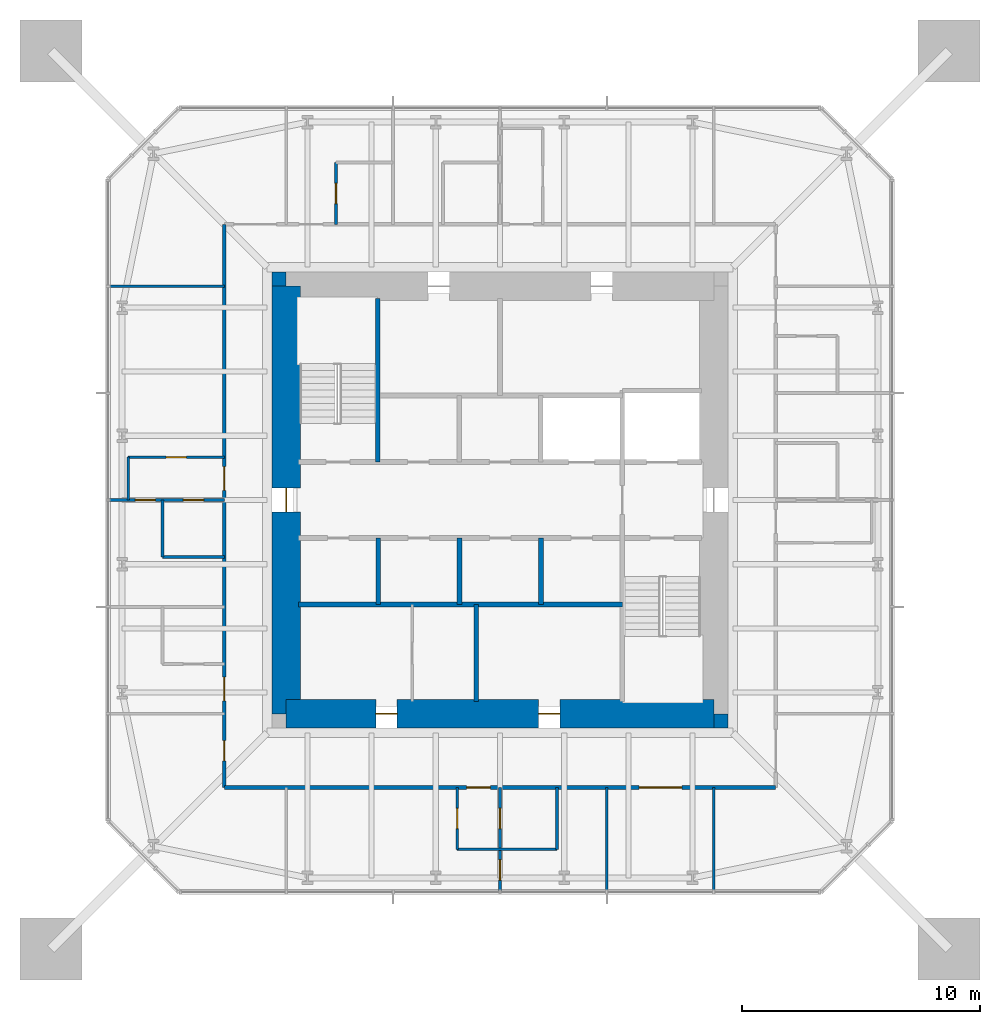
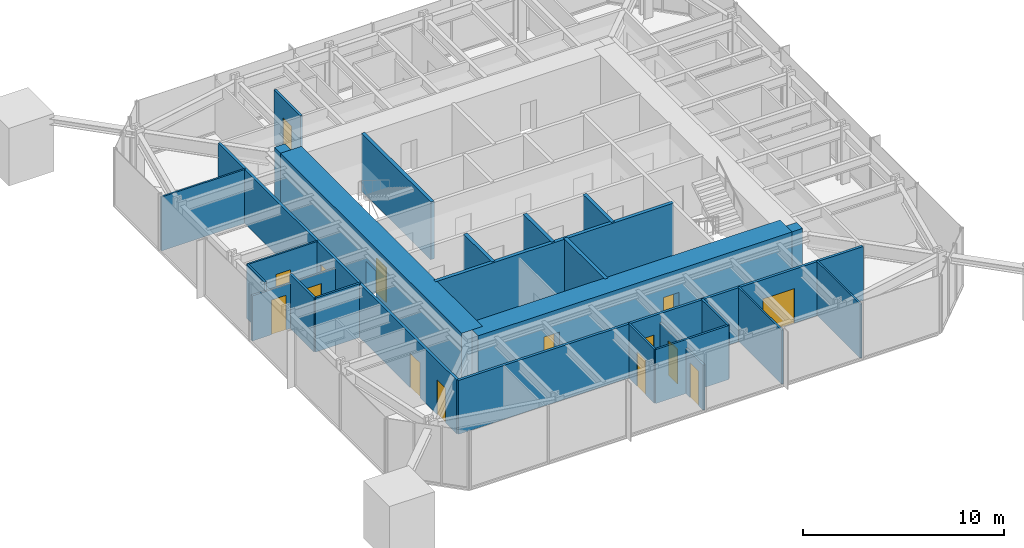
# One storey, part 6 of 9: 25 walls, 15 doors, 15 openings.
"""IFC4 building model written with IfcOpenShell, lengths in metres."""

from ifc_helpers import new_model, si_unit, direction, frame, frame_2d, origin, place, context, subcontext, project, spatial, rectangle, extrude, material, layer, layer_set, type_object, element, fill, save


model = new_model("IFC4")

# Units and contexts
model_context = context("Model", 3, precision=1e-05, world=origin(), true_north=direction((0.0, 1.0)))
body_context = subcontext(model_context, "Body", "Model", "MODEL_VIEW")
ifc_project = project(units=[si_unit("LENGTHUNIT", "METRE"), si_unit("AREAUNIT", "SQUARE_METRE"), si_unit("VOLUMEUNIT", "CUBIC_METRE"), si_unit("PLANEANGLEUNIT", "RADIAN"), si_unit("MASSUNIT", "GRAM", prefix="KILO")], contexts=[model_context])

# Site, building, storey
site_placement = place(None, origin())
site = spatial("IfcSite", under=ifc_project, at=site_placement, CompositionType="ELEMENT")
building_placement = place(site_placement, origin())
building = spatial("IfcBuilding", under=site, at=building_placement, Name="Iwan Alto Co-Living Towers", CompositionType="ELEMENT")
storey_placement = place(building_placement, frame((0.0, 0.0, 236.0)))
storey = spatial("IfcBuildingStorey", under=building, at=storey_placement, Name="L64", CompositionType="ELEMENT", Elevation=236.0)

# Wall, openings, doors
ifc_material_1 = material(Name="Gypsum board")
ifc_layer_1 = layer(ifc_material_1, 0.02490234375, Name="Board", Category="Finish")
ifc_material_2 = material(Name="Steel ASTM A1003 ST33H cold-formed studs", Category="steel")
ifc_layer_2 = layer(ifc_material_2, 0.10009765625, Name="Studs", Category="Framing")
ifc_layer_3 = layer(ifc_material_1, 0.02490234375, Name="Board", Category="Finish")
ifc_layer_set_1 = layer_set([ifc_layer_1, ifc_layer_2, ifc_layer_3], Name="CORRIDOR WALL 150")
wall_type_1 = type_object("IfcWallType", Name="CORRIDOR WALL 150", PredefinedType="PARTITIONING", material=ifc_layer_set_1)
wall_1_placement = place(storey_placement, frame((-11.60009765625, -12.10009765625, 0.0), z_axis=(0.0, 0.0, 1.0), x_axis=(1.0, 0.0, 0.0)))
wall_1 = element("IfcWall", 1, at=wall_1_placement, inside=storey, type_object=wall_type_1, Name="Partition L64", PredefinedType="PARTITIONING", context=body_context, shape_type="SweptSolid", body=[
    extrude(rectangle(XDim=23.2001953125, YDim=0.14990234375, at=frame_2d((11.60009765625, 0.0))), origin(), (0.0, 0.0, 1.0), 3.27001953125),
])
opening_1_placement = place(wall_1_placement, frame((10.199951171875, 0.0, 0.0)))
opening_1 = element("IfcOpeningElement", 2, at=opening_1_placement, cuts=wall_1, Name="Opening D3", PredefinedType="OPENING", context=body_context, shape_type="SweptSolid", body=[
    extrude(rectangle(XDim=1.0, YDim=2.10009765625, at=frame_2d((0.5, 1.050048828125))), frame((0.0, 0.0849609375, 0.0), z_axis=(0.0, -1.0, 0.0), x_axis=(1.0, 0.0, 0.0)), (0.0, 0.0, 1.0), 0.169921875),
])
opening_2_placement = place(wall_1_placement, frame((17.449951171875, 0.0, 0.0)))
opening_2 = element("IfcOpeningElement", 3, at=opening_2_placement, cuts=wall_1, Name="Opening D9", PredefinedType="OPENING", context=body_context, shape_type="SweptSolid", body=[
    extrude(rectangle(XDim=1.800048828125, YDim=2.10009765625, at=frame_2d((0.89990234375, 1.050048828125))), frame((0.0, 0.0849609375, 0.0), z_axis=(0.0, -1.0, 0.0), x_axis=(1.0, 0.0, 0.0)), (0.0, 0.0, 1.0), 0.169921875),
])
ifc_material_3 = material(Name="Steel frame with timber leaf", Category="steel")
door_type_1 = type_object("IfcDoorType", Name="FLAT ENTRANCE DOOR FD30S 1000X2100", OperationType="SINGLE_SWING_LEFT", PredefinedType="DOOR", material=ifc_material_3)
door_1_placement = place(opening_1_placement, frame((1.0, 0.0, 0.0), z_axis=(0.0, 0.0, 1.0), x_axis=(-1.0, 0.0, 0.0)))
door_1 = element("IfcDoor", 4, at=door_1_placement, inside=storey, type_object=door_type_1, Name="Apartment foyer door L64", OperationType="SINGLE_SWING_RIGHT", OverallHeight=2.10009765625, OverallWidth=1.0, PredefinedType="DOOR", context=body_context, shape_type="SweptSolid", body=[
    extrude(rectangle(XDim=1.0, YDim=2.10009765625, at=frame_2d((0.5, 1.050048828125))), frame((0.0, 0.02490234375, 0.0), z_axis=(0.0, -1.0, 0.0), x_axis=(1.0, 0.0, 0.0)), (0.0, 0.0, 1.0), 0.050048828125),
])
fill(opening_1, door_1)
ifc_material_4 = material(Name="Steel frame with timber leaf", Category="steel")
door_type_2 = type_object("IfcDoorType", Name="LOUNGE DOOR FD30S 1800X2100", OperationType="DOUBLE_DOOR_SINGLE_SWING", PredefinedType="DOOR", material=ifc_material_4)
door_2_placement = place(opening_2_placement, frame((1.800048828125, 0.0, 0.0), z_axis=(0.0, 0.0, 1.0), x_axis=(-1.0, 0.0, 0.0)))
door_2 = element("IfcDoor", 5, at=door_2_placement, inside=storey, type_object=door_type_2, Name="Seminar room door L64", OperationType="DOUBLE_DOOR_SINGLE_SWING", OverallHeight=2.10009765625, OverallWidth=1.800048828125, PredefinedType="DOOR", context=body_context, shape_type="SweptSolid", body=[
    extrude(rectangle(XDim=1.800048828125, YDim=2.10009765625, at=frame_2d((0.89990234375, 1.050048828125))), frame((0.0, 0.02490234375, 0.0), z_axis=(0.0, -1.0, 0.0), x_axis=(1.0, 0.0, 0.0)), (0.0, 0.0, 1.0), 0.050048828125),
])
fill(opening_2, door_2)

wall_2_placement = place(storey_placement, frame((-11.60009765625, -12.10009765625, 0.0), z_axis=(0.0, 0.0, 1.0), x_axis=(0.0, 1.0, 0.0)))
wall_2 = element("IfcWall", 6, at=wall_2_placement, inside=storey, type_object=wall_type_1, Name="Partition L64", PredefinedType="PARTITIONING", context=body_context, shape_type="SweptSolid", body=[
    extrude(rectangle(XDim=23.7001953125, YDim=0.14990234375, at=frame_2d((11.85009765625, 0.0))), origin(), (0.0, 0.0, 1.0), 3.27001953125),
])
opening_3_placement = place(wall_2_placement, frame((12.5, 0.0, 0.0)))
opening_3 = element("IfcOpeningElement", 7, at=opening_3_placement, cuts=wall_2, Name="Opening D3", PredefinedType="OPENING", context=body_context, shape_type="SweptSolid", body=[
    extrude(rectangle(XDim=1.0, YDim=2.10009765625, at=frame_2d((0.5, 1.050048828125))), frame((0.0, 0.0849609375, 0.0), z_axis=(0.0, -1.0, 0.0), x_axis=(1.0, 0.0, 0.0)), (0.0, 0.0, 1.0), 0.169921875),
])
opening_4_placement = place(wall_2_placement, frame((3.64990234375, 0.0, 0.0)))
opening_4 = element("IfcOpeningElement", 8, at=opening_4_placement, cuts=wall_2, Name="Opening D3", PredefinedType="OPENING", context=body_context, shape_type="SweptSolid", body=[
    extrude(rectangle(XDim=1.0, YDim=2.10009765625, at=frame_2d((0.5, 1.050048828125))), frame((0.0, 0.0849609375, 0.0), z_axis=(0.0, -1.0, 0.0), x_axis=(1.0, 0.0, 0.0)), (0.0, 0.0, 1.0), 0.169921875),
])
opening_5_placement = place(wall_2_placement, frame((1.125, 0.0, 0.0)))
opening_5 = element("IfcOpeningElement", 9, at=opening_5_placement, cuts=wall_2, Name="Opening D2", PredefinedType="OPENING", context=body_context, shape_type="SweptSolid", body=[
    extrude(rectangle(XDim=0.85009765625, YDim=2.10009765625, at=frame_2d((0.425048828125, 1.050048828125))), frame((0.0, 0.0849609375, 0.0), z_axis=(0.0, -1.0, 0.0), x_axis=(1.0, 0.0, 0.0)), (0.0, 0.0, 1.0), 0.169921875),
])
door_3_placement = place(opening_3_placement, origin())
door_3 = element("IfcDoor", 10, at=door_3_placement, inside=storey, type_object=door_type_1, Name="Apartment foyer door L64", OperationType="SINGLE_SWING_LEFT", OverallHeight=2.10009765625, OverallWidth=1.0, PredefinedType="DOOR", context=body_context, shape_type="SweptSolid", body=[
    extrude(rectangle(XDim=1.0, YDim=2.10009765625, at=frame_2d((0.5, 1.050048828125))), frame((0.0, 0.02490234375, 0.0), z_axis=(0.0, -1.0, 0.0), x_axis=(1.0, 0.0, 0.0)), (0.0, 0.0, 1.0), 0.050048828125),
])
fill(opening_3, door_3)
door_4_placement = place(opening_4_placement, origin())
door_4 = element("IfcDoor", 11, at=door_4_placement, inside=storey, type_object=door_type_1, Name="Studio door L64", OperationType="SINGLE_SWING_LEFT", OverallHeight=2.10009765625, OverallWidth=1.0, PredefinedType="DOOR", context=body_context, shape_type="SweptSolid", body=[
    extrude(rectangle(XDim=1.0, YDim=2.10009765625, at=frame_2d((0.5, 1.050048828125))), frame((0.0, 0.02490234375, 0.0), z_axis=(0.0, -1.0, 0.0), x_axis=(1.0, 0.0, 0.0)), (0.0, 0.0, 1.0), 0.050048828125),
])
fill(opening_4, door_4)
ifc_material_5 = material(Name="Timber leaf in steel frame", Category="steel")
door_type_3 = type_object("IfcDoorType", Name="ROOM DOOR 850X2100", OperationType="SINGLE_SWING_LEFT", PredefinedType="DOOR", material=ifc_material_5)
door_5_placement = place(opening_5_placement, origin())
door_5 = element("IfcDoor", 12, at=door_5_placement, inside=storey, type_object=door_type_3, Name="Shared kitchen and lounge door L64", OperationType="SINGLE_SWING_RIGHT", OverallHeight=2.10009765625, OverallWidth=0.85009765625, PredefinedType="DOOR", context=body_context, shape_type="SweptSolid", body=[
    extrude(rectangle(XDim=0.85009765625, YDim=2.10009765625, at=frame_2d((0.425048828125, 1.050048828125))), frame((0.0, 0.02490234375, 0.0), z_axis=(0.0, -1.0, 0.0), x_axis=(1.0, 0.0, 0.0)), (0.0, 0.0, 1.0), 0.050048828125),
])
fill(opening_5, door_5)

# Wall, opening, door
ifc_layer_4 = layer(ifc_material_1, 0.012451171875, Name="Board", Category="Finish")
ifc_layer_5 = layer(ifc_material_2, 0.074951171875, Name="Studs", Category="Framing")
ifc_layer_6 = layer(ifc_material_1, 0.012451171875, Name="Board", Category="Finish")
ifc_layer_set_2 = layer_set([ifc_layer_4, ifc_layer_5, ifc_layer_6], Name="PARTITION 100")
wall_type_2 = type_object("IfcWallType", Name="PARTITION 100", PredefinedType="PARTITIONING", material=ifc_layer_set_2)
wall_3_placement = place(storey_placement, frame((-15.64990234375, 1.800048828125, 0.0), z_axis=(0.0, 0.0, 1.0), x_axis=(1.0, 0.0, 0.0)))
wall_3 = element("IfcWall", 13, at=wall_3_placement, inside=storey, type_object=wall_type_2, Name="Partition L64", PredefinedType="PARTITIONING", context=body_context, shape_type="SweptSolid", body=[
    extrude(rectangle(XDim=4.0498046875, YDim=0.10009765625, at=frame_2d((2.02490234375, 0.0))), origin(), (0.0, 0.0, 1.0), 3.27001953125),
])
opening_6_placement = place(wall_3_placement, frame((1.60009765625, 0.0, 0.0)))
opening_6 = element("IfcOpeningElement", 14, at=opening_6_placement, cuts=wall_3, Name="Opening D2", PredefinedType="OPENING", context=body_context, shape_type="SweptSolid", body=[
    extrude(rectangle(XDim=0.85009765625, YDim=2.10009765625, at=frame_2d((0.425048828125, 1.050048828125))), frame((0.0, 0.06005859375, 0.0), z_axis=(0.0, -1.0, 0.0), x_axis=(1.0, 0.0, 0.0)), (0.0, 0.0, 1.0), 0.1201171875),
])
door_6_placement = place(opening_6_placement, origin())
door_6 = element("IfcDoor", 15, at=door_6_placement, inside=storey, type_object=door_type_3, Name="Apartment foyer door L64", OperationType="SINGLE_SWING_RIGHT", OverallHeight=2.10009765625, OverallWidth=0.85009765625, PredefinedType="DOOR", context=body_context, shape_type="SweptSolid", body=[
    extrude(rectangle(XDim=0.85009765625, YDim=2.10009765625, at=frame_2d((0.425048828125, 1.050048828125))), frame((0.0, 0.02490234375, 0.0), z_axis=(0.0, -1.0, 0.0), x_axis=(1.0, 0.0, 0.0)), (0.0, 0.0, 1.0), 0.050048828125),
])
fill(opening_6, door_6)

# Walls
wall_4_placement = place(storey_placement, frame((-16.43994140625, 9.0, 0.0), z_axis=(0.0, 0.0, 1.0), x_axis=(1.0, 0.0, 0.0)))
element("IfcWall", 16, at=wall_4_placement, inside=storey, type_object=wall_type_2, Name="Partition L64", PredefinedType="PARTITIONING", context=body_context, shape_type="SweptSolid", body=[
    extrude(rectangle(XDim=4.83984375, YDim=0.10009765625, at=frame_2d((2.419921875, 0.0))), origin(), (0.0, 0.0, 1.0), 3.27001953125),
])
for number, where, z_axis, x_axis, name in (
    (17, (9.0, -16.43994140625, 0.0), (0.0, 0.0, 1.0), (0.0, 1.0, 0.0), "Partition L64"),
    (18, (4.5, -16.43994140625, 0.0), (0.0, 0.0, 1.0), (0.0, 1.0, 0.0), "Partition L64"),
):
    element("IfcWall", number, at=place(storey_placement, frame(where, z_axis=z_axis, x_axis=x_axis)), inside=storey, type_object=wall_type_2, Name=name, PredefinedType="PARTITIONING", context=body_context, shape_type="SweptSolid", body=[
        extrude(rectangle(XDim=4.33984375, YDim=0.10009765625, at=frame_2d((2.169921875, 0.0))), origin(), (0.0, 0.0, 1.0), 3.27001953125),
    ])

# Wall, opening, door
wall_5_placement = place(storey_placement, frame((-1.800048828125, -14.699951171875, 0.0), z_axis=(0.0, 0.0, 1.0), x_axis=(0.0, 1.0, 0.0)))
wall_5 = element("IfcWall", 19, at=wall_5_placement, inside=storey, type_object=wall_type_2, Name="Partition L64", PredefinedType="PARTITIONING", context=body_context, shape_type="SweptSolid", body=[
    extrude(rectangle(XDim=2.599853515625, YDim=0.10009765625, at=frame_2d((1.2998046875, 0.0))), origin(), (0.0, 0.0, 1.0), 3.27001953125),
])
opening_7_placement = place(wall_5_placement, frame((0.875, 0.0, 0.0)))
opening_7 = element("IfcOpeningElement", 20, at=opening_7_placement, cuts=wall_5, Name="Opening D2", PredefinedType="OPENING", context=body_context, shape_type="SweptSolid", body=[
    extrude(rectangle(XDim=0.85009765625, YDim=2.10009765625, at=frame_2d((0.425048828125, 1.050048828125))), frame((0.0, 0.06005859375, 0.0), z_axis=(0.0, -1.0, 0.0), x_axis=(1.0, 0.0, 0.0)), (0.0, 0.0, 1.0), 0.1201171875),
])
door_7_placement = place(opening_7_placement, origin())
door_7 = element("IfcDoor", 21, at=door_7_placement, inside=storey, type_object=door_type_3, Name="Apartment foyer door L64", OperationType="SINGLE_SWING_RIGHT", OverallHeight=2.10009765625, OverallWidth=0.85009765625, PredefinedType="DOOR", context=body_context, shape_type="SweptSolid", body=[
    extrude(rectangle(XDim=0.85009765625, YDim=2.10009765625, at=frame_2d((0.425048828125, 1.050048828125))), frame((0.0, 0.02490234375, 0.0), z_axis=(0.0, -1.0, 0.0), x_axis=(1.0, 0.0, 0.0)), (0.0, 0.0, 1.0), 0.050048828125),
])
fill(opening_7, door_7)

# Walls
wall_6_placement = place(storey_placement, frame((-15.64990234375, 0.0, 0.0), z_axis=(0.0, 0.0, 1.0), x_axis=(0.0, 1.0, 0.0)))
element("IfcWall", 22, at=wall_6_placement, inside=storey, type_object=wall_type_2, Name="Partition L64", PredefinedType="PARTITIONING", context=body_context, shape_type="SweptSolid", body=[
    extrude(rectangle(XDim=1.800048828125, YDim=0.10009765625, at=frame_2d((0.89990234375, 0.0))), origin(), (0.0, 0.0, 1.0), 3.27001953125),
])
ifc_material_6 = material(Name="Concrete f'c 70 MPa", Category="concrete")
ifc_layer_7 = layer(ifc_material_6, 0.199951171875)
ifc_layer_set_3 = layer_set([ifc_layer_7], Name="SHAFT WALL 200")
wall_type_3 = type_object("IfcWallType", Name="SHAFT WALL 200", PredefinedType="SOLIDWALL", material=ifc_layer_set_3)
wall_7_placement = place(storey_placement, frame((-8.489990234375, -4.39990234375, 0.0), z_axis=(0.0, 0.0, 1.0), x_axis=(1.0, 0.0, 0.0)))
element("IfcWall", 23, at=wall_7_placement, inside=storey, type_object=wall_type_3, Name="Shaft wall L64", PredefinedType="SOLIDWALL", context=body_context, shape_type="SweptSolid", body=[
    extrude(rectangle(XDim=13.639892578125, YDim=0.199951171875, at=frame_2d((6.81982421875, 0.0))), origin(), (0.0, 0.0, 1.0), 3.5),
])
wall_8_placement = place(storey_placement, frame((1.72509765625, -4.39990234375, 0.0), z_axis=(0.0, 0.0, 1.0), x_axis=(0.0, 1.0, 0.0)))
element("IfcWall", 24, at=wall_8_placement, inside=storey, type_object=wall_type_3, Name="Shaft wall L64", PredefinedType="SOLIDWALL", context=body_context, shape_type="SweptSolid", body=[
    extrude(rectangle(XDim=2.7998046875, YDim=0.199951171875, at=frame_2d((1.39990234375, 0.0))), origin(), (0.0, 0.0, 1.0), 3.5),
])
wall_9_placement = place(storey_placement, frame((-1.0, -8.489990234375, 0.0), z_axis=(0.0, 0.0, 1.0), x_axis=(0.0, 1.0, 0.0)))
element("IfcWall", 25, at=wall_9_placement, inside=storey, type_object=wall_type_3, Name="Shaft wall L64", PredefinedType="SOLIDWALL", context=body_context, shape_type="SweptSolid", body=[
    extrude(rectangle(XDim=4.090087890625, YDim=0.199951171875, at=frame_2d((2.044921875, 0.0))), origin(), (0.0, 0.0, 1.0), 3.5),
])
for number, where, z_axis, x_axis, name in (
    (26, (-1.699951171875, -4.39990234375, 0.0), (0.0, 0.0, 1.0), (0.0, 1.0, 0.0), "Shaft wall L64"),
    (27, (-5.125, -4.39990234375, 0.0), (0.0, 0.0, 1.0), (0.0, 1.0, 0.0), "Shaft wall L64"),
):
    element("IfcWall", number, at=place(storey_placement, frame(where, z_axis=z_axis, x_axis=x_axis)), inside=storey, type_object=wall_type_3, Name=name, PredefinedType="SOLIDWALL", context=body_context, shape_type="SweptSolid", body=[
        extrude(rectangle(XDim=2.7998046875, YDim=0.199951171875, at=frame_2d((1.39990234375, 0.0))), origin(), (0.0, 0.0, 1.0), 3.5),
    ])
wall_10_placement = place(storey_placement, frame((-5.14990234375, 1.60009765625, 0.0), z_axis=(0.0, 0.0, 1.0), x_axis=(0.0, 1.0, 0.0)))
element("IfcWall", 28, at=wall_10_placement, inside=storey, type_object=wall_type_3, Name="Shaft wall L64", PredefinedType="SOLIDWALL", context=body_context, shape_type="SweptSolid", body=[
    extrude(rectangle(XDim=6.889892578125, YDim=0.199951171875, at=frame_2d((3.44482421875, 0.0))), origin(), (0.0, 0.0, 1.0), 3.5),
])
ifc_material_7 = material(Name="Concrete f'c 70 MPa", Category="concrete")
ifc_layer_8 = layer(ifc_material_7, 0.60009765625)
ifc_layer_set_4 = layer_set([ifc_layer_8], Name="T1 CORE CORNER FILL 600")
wall_type_4 = type_object("IfcWallType", Name="T1 CORE CORNER FILL 600", PredefinedType="SOLIDWALL", material=ifc_layer_set_4)
for number, where, z_axis, x_axis, name in (
    (29, (9.0, -9.300048828125, 0.0), (0.0, 0.0, 1.0), (1.0, 0.0, 0.0), "T1 core corner SE L64"),
    (30, (-9.60009765625, 9.300048828125, 0.0), (0.0, 0.0, 1.0), (1.0, 0.0, 0.0), "T1 core corner NW L64"),
):
    element("IfcWall", number, at=place(storey_placement, frame(where, z_axis=z_axis, x_axis=x_axis)), inside=storey, type_object=wall_type_4, Name=name, PredefinedType="SOLIDWALL", context=body_context, shape_type="SweptSolid", body=[
        extrude(rectangle(XDim=0.60009765625, YDim=0.60009765625, at=frame_2d((0.300048828125, 0.0))), origin(), (0.0, 0.0, 1.0), 3.5),
    ])

# Wall, openings, doors
ifc_material_8 = material(Name="Concrete f'c 70 MPa", Category="concrete")
ifc_layer_9 = layer(ifc_material_8, 1.199951171875)
ifc_layer_set_5 = layer_set([ifc_layer_9], Name="T1 CORE WALL 1200")
wall_type_5 = type_object("IfcWallType", Name="T1 CORE WALL 1200", PredefinedType="SHEAR", material=ifc_layer_set_5)
wall_11_placement = place(storey_placement, frame((-9.0, -9.0, 0.0), z_axis=(0.0, 0.0, 1.0), x_axis=(1.0, 0.0, 0.0)))
wall_11 = element("IfcWall", 31, at=wall_11_placement, inside=storey, type_object=wall_type_5, Name="T1 core wall S L64", PredefinedType="SHEAR", context=body_context, shape_type="SweptSolid", body=[
    extrude(rectangle(XDim=18.0, YDim=1.199951171875, at=frame_2d((9.0, 0.0))), origin(), (0.0, 0.0, 1.0), 3.5),
])
opening_8_placement = place(wall_11_placement, frame((3.77490234375, 0.0, 0.0)))
opening_8 = element("IfcOpeningElement", 32, at=opening_8_placement, cuts=wall_11, Name="Opening D8", PredefinedType="OPENING", context=body_context, shape_type="SweptSolid", body=[
    extrude(rectangle(XDim=0.89990234375, YDim=2.10009765625, at=frame_2d((0.449951171875, 1.050048828125))), frame((0.0, 0.60986328125, 0.0), z_axis=(0.0, -1.0, 0.0), x_axis=(1.0, 0.0, 0.0)), (0.0, 0.0, 1.0), 1.219970703125),
])
opening_9_placement = place(wall_11_placement, frame((10.625, 0.0, 0.0)))
opening_9 = element("IfcOpeningElement", 33, at=opening_9_placement, cuts=wall_11, Name="Opening D8", PredefinedType="OPENING", context=body_context, shape_type="SweptSolid", body=[
    extrude(rectangle(XDim=0.89990234375, YDim=2.10009765625, at=frame_2d((0.449951171875, 1.050048828125))), frame((0.0, 0.60986328125, 0.0), z_axis=(0.0, -1.0, 0.0), x_axis=(1.0, 0.0, 0.0)), (0.0, 0.0, 1.0), 1.219970703125),
])
ifc_material_9 = material(Name="Steel frame with timber leaf", Category="steel")
door_type_4 = type_object("IfcDoorType", Name="RISER DOOR FD120 900X2100", OperationType="SINGLE_SWING_LEFT", PredefinedType="DOOR", material=ifc_material_9)
door_8_placement = place(opening_8_placement, origin())
door_8 = element("IfcDoor", 34, at=door_8_placement, inside=storey, type_object=door_type_4, Name="Refuse room core door L64", OperationType="SINGLE_SWING_RIGHT", OverallHeight=2.10009765625, OverallWidth=0.89990234375, PredefinedType="DOOR", context=body_context, shape_type="SweptSolid", body=[
    extrude(rectangle(XDim=0.89990234375, YDim=2.10009765625, at=frame_2d((0.449951171875, 1.050048828125))), frame((0.0, 0.02490234375, 0.0), z_axis=(0.0, -1.0, 0.0), x_axis=(1.0, 0.0, 0.0)), (0.0, 0.0, 1.0), 0.050048828125),
])
fill(opening_8, door_8)
door_9_placement = place(opening_9_placement, origin())
door_9 = element("IfcDoor", 35, at=door_9_placement, inside=storey, type_object=door_type_4, Name="Telecom riser core door L64", OperationType="SINGLE_SWING_LEFT", OverallHeight=2.10009765625, OverallWidth=0.89990234375, PredefinedType="DOOR", context=body_context, shape_type="SweptSolid", body=[
    extrude(rectangle(XDim=0.89990234375, YDim=2.10009765625, at=frame_2d((0.449951171875, 1.050048828125))), frame((0.0, 0.02490234375, 0.0), z_axis=(0.0, -1.0, 0.0), x_axis=(1.0, 0.0, 0.0)), (0.0, 0.0, 1.0), 0.050048828125),
])
fill(opening_9, door_9)

# Wall, opening, door
wall_12_placement = place(storey_placement, frame((-9.0, 9.0, 0.0), z_axis=(0.0, 0.0, 1.0), x_axis=(0.0, -1.0, 0.0)))
wall_12 = element("IfcWall", 36, at=wall_12_placement, inside=storey, type_object=wall_type_5, Name="T1 core wall W L64", PredefinedType="SHEAR", context=body_context, shape_type="SweptSolid", body=[
    extrude(rectangle(XDim=18.0, YDim=1.199951171875, at=frame_2d((9.0, 0.0))), origin(), (0.0, 0.0, 1.0), 3.5),
])
opening_10_placement = place(wall_12_placement, frame((8.5, 0.0, 0.0)))
opening_10 = element("IfcOpeningElement", 37, at=opening_10_placement, cuts=wall_12, Name="Opening D7", PredefinedType="OPENING", context=body_context, shape_type="SweptSolid", body=[
    extrude(rectangle(XDim=1.0, YDim=2.10009765625, at=frame_2d((0.5, 1.050048828125))), frame((0.0, 0.60986328125, 0.0), z_axis=(0.0, -1.0, 0.0), x_axis=(1.0, 0.0, 0.0)), (0.0, 0.0, 1.0), 1.219970703125),
])
ifc_material_10 = material(Name="Steel frame with timber leaf", Category="steel")
door_type_5 = type_object("IfcDoorType", Name="CORE DOOR FD120S 1000X2100", OperationType="SINGLE_SWING_LEFT", PredefinedType="DOOR", material=ifc_material_10)
door_10_placement = place(opening_10_placement, origin())
door_10 = element("IfcDoor", 38, at=door_10_placement, inside=storey, type_object=door_type_5, Name="Lift lobby core door L64", OperationType="SINGLE_SWING_RIGHT", OverallHeight=2.10009765625, OverallWidth=1.0, PredefinedType="DOOR", context=body_context, shape_type="SweptSolid", body=[
    extrude(rectangle(XDim=1.0, YDim=2.10009765625, at=frame_2d((0.5, 1.050048828125))), frame((0.0, 0.02490234375, 0.0), z_axis=(0.0, -1.0, 0.0), x_axis=(1.0, 0.0, 0.0)), (0.0, 0.0, 1.0), 0.050048828125),
])
fill(opening_10, door_10)

# Walls
ifc_material_11 = material(Name="Cement board")
ifc_layer_10 = layer(ifc_material_11, 0.012451171875, Name="Board", Category="Finish")
ifc_layer_11 = layer(ifc_material_2, 0.094970703125, Name="Studs", Category="Framing")
ifc_layer_12 = layer(ifc_material_11, 0.012451171875, Name="Board", Category="Finish")
ifc_layer_set_6 = layer_set([ifc_layer_10, ifc_layer_11, ifc_layer_12], Name="WET AREA PARTITION 120")
wall_type_6 = type_object("IfcWallType", Name="WET AREA PARTITION 120", PredefinedType="PARTITIONING", material=ifc_layer_set_6)
wall_13_placement = place(storey_placement, frame((-1.800048828125, -14.699951171875, 0.0), z_axis=(0.0, 0.0, 1.0), x_axis=(1.0, 0.0, 0.0)))
element("IfcWall", 39, at=wall_13_placement, inside=storey, type_object=wall_type_6, Name="Partition L64", PredefinedType="PARTITIONING", context=body_context, shape_type="SweptSolid", body=[
    extrude(rectangle(XDim=4.199951171875, YDim=0.1201171875, at=frame_2d((2.10009765625, 0.0))), origin(), (0.0, 0.0, 1.0), 3.27001953125),
])
wall_14_placement = place(storey_placement, frame((-14.199951171875, -2.39990234375, 0.0), z_axis=(0.0, 0.0, 1.0), x_axis=(1.0, 0.0, 0.0)))
element("IfcWall", 40, at=wall_14_placement, inside=storey, type_object=wall_type_6, Name="Partition L64", PredefinedType="PARTITIONING", context=body_context, shape_type="SweptSolid", body=[
    extrude(rectangle(XDim=2.599853515625, YDim=0.1201171875, at=frame_2d((1.2998046875, 0.0))), origin(), (0.0, 0.0, 1.0), 3.27001953125),
])

# Wall, openings, doors
wall_15_placement = place(storey_placement, frame((-16.43994140625, 0.0, 0.0), z_axis=(0.0, 0.0, 1.0), x_axis=(1.0, 0.0, 0.0)))
wall_15 = element("IfcWall", 41, at=wall_15_placement, inside=storey, type_object=wall_type_6, Name="Partition L64", PredefinedType="PARTITIONING", context=body_context, shape_type="SweptSolid", body=[
    extrude(rectangle(XDim=4.83984375, YDim=0.1201171875, at=frame_2d((2.419921875, 0.0))), origin(), (0.0, 0.0, 1.0), 2.736572265625),
])
opening_11_placement = place(wall_15_placement, frame((1.090087890625, 0.0, 0.0)))
opening_11 = element("IfcOpeningElement", 42, at=opening_11_placement, cuts=wall_15, Name="Opening D2", PredefinedType="OPENING", context=body_context, shape_type="SweptSolid", body=[
    extrude(rectangle(XDim=0.85009765625, YDim=2.10009765625, at=frame_2d((0.425048828125, 1.050048828125))), frame((0.0, 0.070068359375, 0.0), z_axis=(0.0, -1.0, 0.0), x_axis=(1.0, 0.0, 0.0)), (0.0, 0.0, 1.0), 0.14013671875),
])
opening_12_placement = place(wall_15_placement, frame((3.114990234375, 0.0, 0.0)))
opening_12 = element("IfcOpeningElement", 43, at=opening_12_placement, cuts=wall_15, Name="Opening D2", PredefinedType="OPENING", context=body_context, shape_type="SweptSolid", body=[
    extrude(rectangle(XDim=0.85009765625, YDim=2.10009765625, at=frame_2d((0.425048828125, 1.050048828125))), frame((0.0, 0.070068359375, 0.0), z_axis=(0.0, -1.0, 0.0), x_axis=(1.0, 0.0, 0.0)), (0.0, 0.0, 1.0), 0.14013671875),
])
door_11_placement = place(opening_11_placement, frame((0.85009765625, 0.0, 0.0), z_axis=(0.0, 0.0, 1.0), x_axis=(-1.0, 0.0, 0.0)))
door_11 = element("IfcDoor", 44, at=door_11_placement, inside=storey, type_object=door_type_3, Name="Bedroom door L64", OperationType="SINGLE_SWING_LEFT", OverallHeight=2.10009765625, OverallWidth=0.85009765625, PredefinedType="DOOR", context=body_context, shape_type="SweptSolid", body=[
    extrude(rectangle(XDim=0.85009765625, YDim=2.10009765625, at=frame_2d((0.425048828125, 1.050048828125))), frame((0.0, 0.02490234375, 0.0), z_axis=(0.0, -1.0, 0.0), x_axis=(1.0, 0.0, 0.0)), (0.0, 0.0, 1.0), 0.050048828125),
])
fill(opening_11, door_11)
door_12_placement = place(opening_12_placement, frame((0.85009765625, 0.0, 0.0), z_axis=(0.0, 0.0, 1.0), x_axis=(-1.0, 0.0, 0.0)))
door_12 = element("IfcDoor", 45, at=door_12_placement, inside=storey, type_object=door_type_3, Name="Bathroom door L64", OperationType="SINGLE_SWING_RIGHT", OverallHeight=2.10009765625, OverallWidth=0.85009765625, PredefinedType="DOOR", context=body_context, shape_type="SweptSolid", body=[
    extrude(rectangle(XDim=0.85009765625, YDim=2.10009765625, at=frame_2d((0.425048828125, 1.050048828125))), frame((0.0, 0.02490234375, 0.0), z_axis=(0.0, -1.0, 0.0), x_axis=(1.0, 0.0, 0.0)), (0.0, 0.0, 1.0), 0.050048828125),
])
fill(opening_12, door_12)

# Wall
wall_16_placement = place(storey_placement, frame((2.39990234375, -14.699951171875, 0.0), z_axis=(0.0, 0.0, 1.0), x_axis=(0.0, 1.0, 0.0)))
element("IfcWall", 46, at=wall_16_placement, inside=storey, type_object=wall_type_6, Name="Partition L64", PredefinedType="PARTITIONING", context=body_context, shape_type="SweptSolid", body=[
    extrude(rectangle(XDim=2.599853515625, YDim=0.1201171875, at=frame_2d((1.2998046875, 0.0))), origin(), (0.0, 0.0, 1.0), 3.27001953125),
])

# Wall, openings, doors
wall_17_placement = place(storey_placement, frame((0.0, -16.43994140625, 0.0), z_axis=(0.0, 0.0, 1.0), x_axis=(0.0, 1.0, 0.0)))
wall_17 = element("IfcWall", 47, at=wall_17_placement, inside=storey, type_object=wall_type_6, Name="Partition L64", PredefinedType="PARTITIONING", context=body_context, shape_type="SweptSolid", body=[
    extrude(rectangle(XDim=4.33984375, YDim=0.1201171875, at=frame_2d((2.169921875, 0.0))), origin(), (0.0, 0.0, 1.0), 2.736572265625),
])
opening_13_placement = place(wall_17_placement, frame((0.445068359375, 0.0, 0.0)))
opening_13 = element("IfcOpeningElement", 48, at=opening_13_placement, cuts=wall_17, Name="Opening D2", PredefinedType="OPENING", context=body_context, shape_type="SweptSolid", body=[
    extrude(rectangle(XDim=0.85009765625, YDim=2.10009765625, at=frame_2d((0.425048828125, 1.050048828125))), frame((0.0, 0.070068359375, 0.0), z_axis=(0.0, -1.0, 0.0), x_axis=(1.0, 0.0, 0.0)), (0.0, 0.0, 1.0), 0.14013671875),
])
opening_14_placement = place(wall_17_placement, frame((2.614990234375, 0.0, 0.0)))
opening_14 = element("IfcOpeningElement", 49, at=opening_14_placement, cuts=wall_17, Name="Opening D2", PredefinedType="OPENING", context=body_context, shape_type="SweptSolid", body=[
    extrude(rectangle(XDim=0.85009765625, YDim=2.10009765625, at=frame_2d((0.425048828125, 1.050048828125))), frame((0.0, 0.070068359375, 0.0), z_axis=(0.0, -1.0, 0.0), x_axis=(1.0, 0.0, 0.0)), (0.0, 0.0, 1.0), 0.14013671875),
])
door_13_placement = place(opening_13_placement, origin())
door_13 = element("IfcDoor", 50, at=door_13_placement, inside=storey, type_object=door_type_3, Name="Bedroom door L64", OperationType="SINGLE_SWING_RIGHT", OverallHeight=2.10009765625, OverallWidth=0.85009765625, PredefinedType="DOOR", context=body_context, shape_type="SweptSolid", body=[
    extrude(rectangle(XDim=0.85009765625, YDim=2.10009765625, at=frame_2d((0.425048828125, 1.050048828125))), frame((0.0, 0.02490234375, 0.0), z_axis=(0.0, -1.0, 0.0), x_axis=(1.0, 0.0, 0.0)), (0.0, 0.0, 1.0), 0.050048828125),
])
fill(opening_13, door_13)
door_14_placement = place(opening_14_placement, frame((0.85009765625, 0.0, 0.0), z_axis=(0.0, 0.0, 1.0), x_axis=(-1.0, 0.0, 0.0)))
door_14 = element("IfcDoor", 51, at=door_14_placement, inside=storey, type_object=door_type_3, Name="Bathroom door L64", OperationType="SINGLE_SWING_RIGHT", OverallHeight=2.10009765625, OverallWidth=0.85009765625, PredefinedType="DOOR", context=body_context, shape_type="SweptSolid", body=[
    extrude(rectangle(XDim=0.85009765625, YDim=2.10009765625, at=frame_2d((0.425048828125, 1.050048828125))), frame((0.0, 0.02490234375, 0.0), z_axis=(0.0, -1.0, 0.0), x_axis=(1.0, 0.0, 0.0)), (0.0, 0.0, 1.0), 0.050048828125),
])
fill(opening_14, door_14)

# Wall, opening, door
wall_18_placement = place(storey_placement, frame((-6.89990234375, 11.60009765625, 0.0), z_axis=(0.0, 0.0, 1.0), x_axis=(0.0, 1.0, 0.0)))
wall_18 = element("IfcWall", 52, at=wall_18_placement, inside=storey, type_object=wall_type_6, Name="Partition L64", PredefinedType="PARTITIONING", context=body_context, shape_type="SweptSolid", body=[
    extrude(rectangle(XDim=2.599853515625, YDim=0.1201171875, at=frame_2d((1.2998046875, 0.0))), origin(), (0.0, 0.0, 1.0), 3.27001953125),
])
opening_15_placement = place(wall_18_placement, frame((0.875, 0.0, 0.0)))
opening_15 = element("IfcOpeningElement", 53, at=opening_15_placement, cuts=wall_18, Name="Opening D2", PredefinedType="OPENING", context=body_context, shape_type="SweptSolid", body=[
    extrude(rectangle(XDim=0.85009765625, YDim=2.10009765625, at=frame_2d((0.425048828125, 1.050048828125))), frame((0.0, 0.070068359375, 0.0), z_axis=(0.0, -1.0, 0.0), x_axis=(1.0, 0.0, 0.0)), (0.0, 0.0, 1.0), 0.14013671875),
])
door_15_placement = place(opening_15_placement, origin())
door_15 = element("IfcDoor", 54, at=door_15_placement, inside=storey, type_object=door_type_3, Name="En-suite shower room door L64", OperationType="SINGLE_SWING_LEFT", OverallHeight=2.10009765625, OverallWidth=0.85009765625, PredefinedType="DOOR", context=body_context, shape_type="SweptSolid", body=[
    extrude(rectangle(XDim=0.85009765625, YDim=2.10009765625, at=frame_2d((0.425048828125, 1.050048828125))), frame((0.0, 0.02490234375, 0.0), z_axis=(0.0, -1.0, 0.0), x_axis=(1.0, 0.0, 0.0)), (0.0, 0.0, 1.0), 0.050048828125),
])
fill(opening_15, door_15)

# Wall
wall_19_placement = place(storey_placement, frame((-14.199951171875, -2.39990234375, 0.0), z_axis=(0.0, 0.0, 1.0), x_axis=(0.0, 1.0, 0.0)))
element("IfcWall", 55, at=wall_19_placement, inside=storey, type_object=wall_type_6, Name="Partition L64", PredefinedType="PARTITIONING", context=body_context, shape_type="SweptSolid", body=[
    extrude(rectangle(XDim=2.39990234375, YDim=0.1201171875, at=frame_2d((1.199951171875, 0.0))), origin(), (0.0, 0.0, 1.0), 3.27001953125),
])

save(model, "model.ifc")
